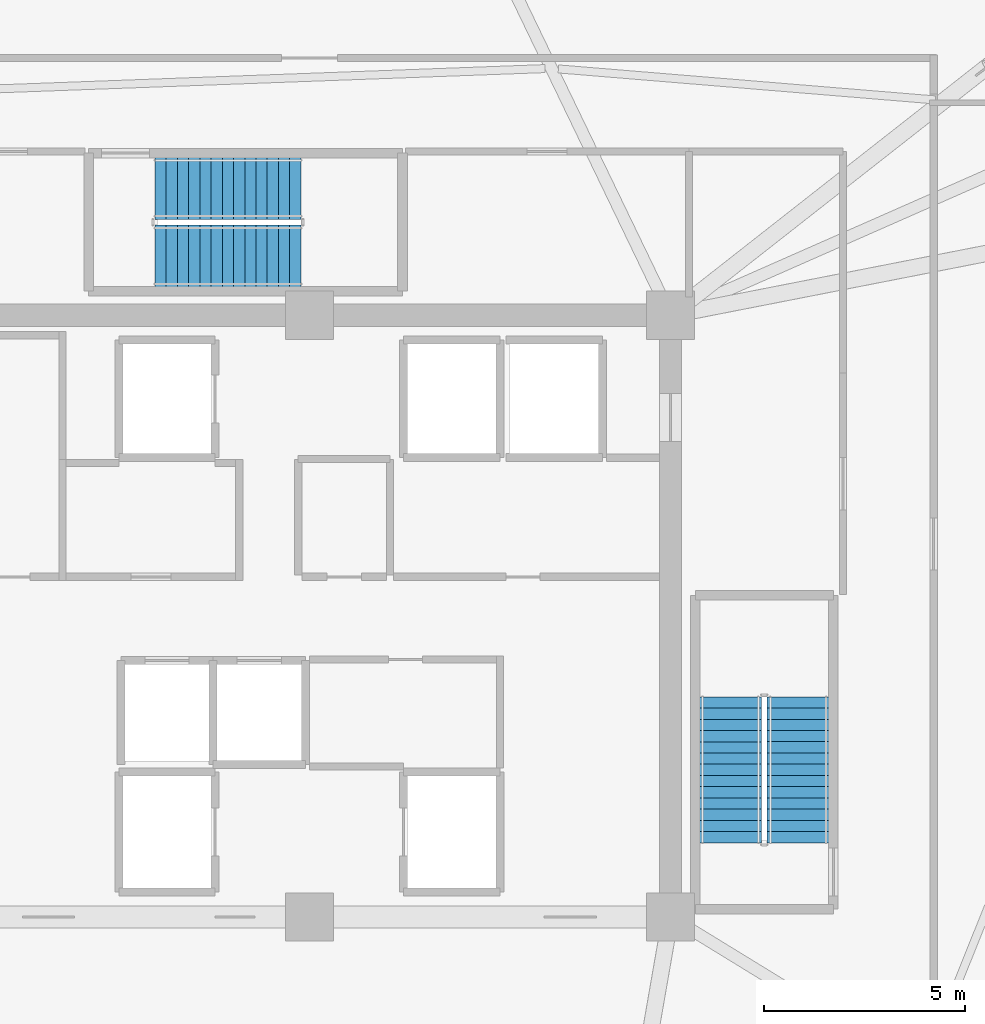
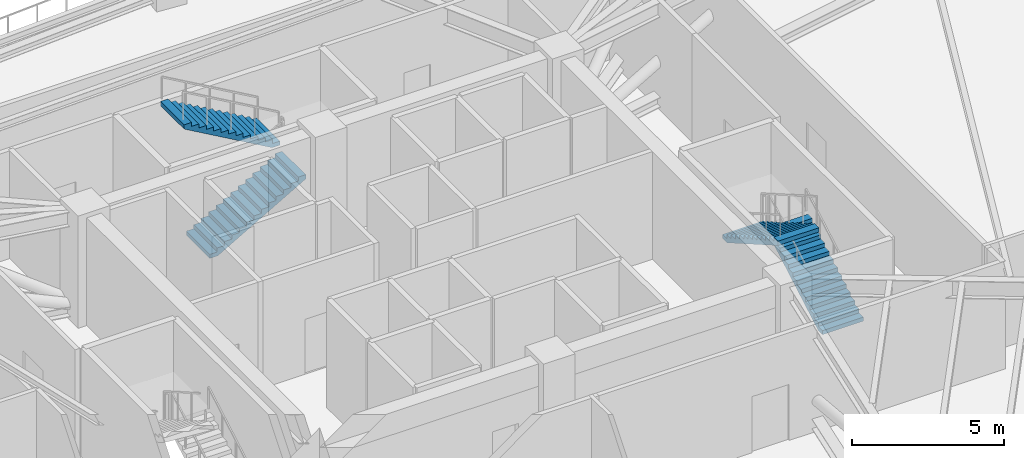
# One storey, part 17 of 22: 4 stair flights, 2 elements without a shape of their own.
"""IFC4 building model written with IfcOpenShell, lengths in metres."""

from ifc_helpers import new_model, si_unit, direction, frame, origin, place, context, subcontext, project, spatial, polyline, outline, extrude, material, type_object, element, aggregate, save


model = new_model("IFC4")

# Units and contexts
model_context = context("Model", 3, precision=1e-05, world=origin(), true_north=direction((0.0, 1.0)))
body_context = subcontext(model_context, "Body", "Model", "MODEL_VIEW")
ifc_project = project(units=[si_unit("LENGTHUNIT", "METRE"), si_unit("AREAUNIT", "SQUARE_METRE"), si_unit("VOLUMEUNIT", "CUBIC_METRE"), si_unit("PLANEANGLEUNIT", "RADIAN"), si_unit("MASSUNIT", "GRAM", prefix="KILO")], contexts=[model_context])

# Site, building, storey
site_placement = place(None, origin())
site = spatial("IfcSite", under=ifc_project, at=site_placement, CompositionType="ELEMENT")
building_placement = place(site_placement, origin())
building = spatial("IfcBuilding", under=site, at=building_placement, Name="Liaohun Quay Tower", CompositionType="ELEMENT")
storey_placement = place(building_placement, frame((0.0, 0.0, 324.0)))
storey = spatial("IfcBuildingStorey", under=building, at=storey_placement, Name="L84", CompositionType="ELEMENT", Elevation=324.0)

# Stair, stair flights
ifc_material = material(Name="Concrete C45", Category="concrete")
stair_type = type_object("IfcStairType", Name="STR-CORE-TALL", PredefinedType="HALF_TURN_STAIR", material=ifc_material)
stair_1_placement = place(storey_placement, origin())
stair_1 = element("IfcStair", 1, at=stair_1_placement, inside=storey, type_object=stair_type, Name="L84 Smokeproof Core Exit Stair ST-2", PredefinedType="HALF_TURN_STAIR")
stair_flight_type = type_object("IfcStairFlightType", Name="FLT-CORE-155", PredefinedType="STRAIGHT", material=ifc_material)
stair_flight_1_placement = place(storey_placement, frame((72.18505859375, 48.35009765625, 0.0), z_axis=(0.0, 0.0, 1.0), x_axis=(0.0, 1.0, 0.0)))
stair_flight_1 = element("IfcStairFlight", 2, at=stair_flight_1_placement, type_object=stair_flight_type, Name="ST-2 flight 1", NumberOfRisers=14, NumberOfTreads=13, PredefinedType="STRAIGHT", RiserHeight=0.160714286, TreadLength=0.28, context=body_context, shape_type="SweptSolid", body=[
    extrude(outline(polyline([(0.0, 0.0), (0.0, 0.16064453125), (0.280029296875, 0.16064453125), (0.280029296875, 0.321533203125), (0.56005859375, 0.321533203125), (0.56005859375, 0.482177734375), (0.840087890625, 0.482177734375), (0.840087890625, 0.642822265625), (1.1201171875, 0.642822265625), (1.1201171875, 0.803466796875), (1.39990234375, 0.803466796875), (1.39990234375, 0.96435546875), (1.679931640625, 0.96435546875), (1.679931640625, 1.125), (1.9599609375, 1.125), (1.9599609375, 1.28564453125), (2.239990234375, 1.28564453125), (2.239990234375, 1.446533203125), (2.52001953125, 1.446533203125), (2.52001953125, 1.607177734375), (2.800048828125, 1.607177734375), (2.800048828125, 1.767822265625), (3.080078125, 1.767822265625), (3.080078125, 1.928466796875), (3.360107421875, 1.928466796875), (3.360107421875, 2.08935546875), (3.639892578125, 2.08935546875), (3.639892578125, 2.25), (3.639892578125, 1.91650390625), (0.301025390625, 0.0), (0.0, 0.0)])), frame((0.0, 0.77490234375, 0.0), z_axis=(0.0, -1.0, 0.0), x_axis=(1.0, 0.0, 0.0)), (0.0, 0.0, 1.0), 1.550048828125),
])
stair_flight_2_placement = place(storey_placement, frame((70.4951171875, 51.989990234375, 2.25), z_axis=(0.0, 0.0, 1.0), x_axis=(0.0, -1.0, 0.0)))
stair_flight_2 = element("IfcStairFlight", 3, at=stair_flight_2_placement, type_object=stair_flight_type, Name="ST-2 flight 2", NumberOfRisers=14, NumberOfTreads=13, PredefinedType="STRAIGHT", RiserHeight=0.160714286, TreadLength=0.28, context=body_context, shape_type="SweptSolid", body=[
    extrude(outline(polyline([(0.0, 0.0), (0.0, 0.16064453125), (0.280029296875, 0.16064453125), (0.280029296875, 0.321533203125), (0.56005859375, 0.321533203125), (0.56005859375, 0.482177734375), (0.840087890625, 0.482177734375), (0.840087890625, 0.642822265625), (1.1201171875, 0.642822265625), (1.1201171875, 0.803466796875), (1.39990234375, 0.803466796875), (1.39990234375, 0.96435546875), (1.679931640625, 0.96435546875), (1.679931640625, 1.125), (1.9599609375, 1.125), (1.9599609375, 1.28564453125), (2.239990234375, 1.28564453125), (2.239990234375, 1.446533203125), (2.52001953125, 1.446533203125), (2.52001953125, 1.607177734375), (2.800048828125, 1.607177734375), (2.800048828125, 1.767822265625), (3.080078125, 1.767822265625), (3.080078125, 1.928466796875), (3.360107421875, 1.928466796875), (3.360107421875, 2.08935546875), (3.639892578125, 2.08935546875), (3.639892578125, 2.25), (3.639892578125, 1.91650390625), (0.301025390625, 0.0), (0.0, 0.0)])), frame((0.0, 0.77490234375, 0.0), z_axis=(0.0, -1.0, 0.0), x_axis=(1.0, 0.0, 0.0)), (0.0, 0.0, 1.0), 1.550048828125),
])
aggregate(stair_1, [stair_flight_1, stair_flight_2])

stair_2_placement = place(storey_placement, origin())
stair_2 = element("IfcStair", 4, at=stair_2_placement, inside=storey, type_object=stair_type, Name="L84 Smokeproof Core Exit Stair ST-3", PredefinedType="HALF_TURN_STAIR")
stair_flight_3_placement = place(storey_placement, frame((56.14990234375, 62.97509765625, 0.0), z_axis=(0.0, 0.0, 1.0), x_axis=(1.0, 0.0, 0.0)))
stair_flight_3 = element("IfcStairFlight", 5, at=stair_flight_3_placement, type_object=stair_flight_type, Name="ST-3 flight 1", NumberOfRisers=14, NumberOfTreads=13, PredefinedType="STRAIGHT", RiserHeight=0.160714286, TreadLength=0.28, context=body_context, shape_type="SweptSolid", body=[
    extrude(outline(polyline([(0.0, 0.0), (0.0, 0.16064453125), (0.280029296875, 0.16064453125), (0.280029296875, 0.321533203125), (0.56005859375, 0.321533203125), (0.56005859375, 0.482177734375), (0.840087890625, 0.482177734375), (0.840087890625, 0.642822265625), (1.1201171875, 0.642822265625), (1.1201171875, 0.803466796875), (1.39990234375, 0.803466796875), (1.39990234375, 0.96435546875), (1.679931640625, 0.96435546875), (1.679931640625, 1.125), (1.9599609375, 1.125), (1.9599609375, 1.28564453125), (2.239990234375, 1.28564453125), (2.239990234375, 1.446533203125), (2.52001953125, 1.446533203125), (2.52001953125, 1.607177734375), (2.800048828125, 1.607177734375), (2.800048828125, 1.767822265625), (3.080078125, 1.767822265625), (3.080078125, 1.928466796875), (3.360107421875, 1.928466796875), (3.360107421875, 2.08935546875), (3.639892578125, 2.08935546875), (3.639892578125, 2.25), (3.639892578125, 1.91650390625), (0.301025390625, 0.0), (0.0, 0.0)])), frame((0.0, 0.77490234375, 0.0), z_axis=(0.0, -1.0, 0.0), x_axis=(1.0, 0.0, 0.0)), (0.0, 0.0, 1.0), 1.550048828125),
])
stair_flight_4_placement = place(storey_placement, frame((59.7900390625, 64.6650390625, 2.25), z_axis=(0.0, 0.0, 1.0), x_axis=(-1.0, 0.0, 0.0)))
stair_flight_4 = element("IfcStairFlight", 6, at=stair_flight_4_placement, type_object=stair_flight_type, Name="ST-3 flight 2", NumberOfRisers=14, NumberOfTreads=13, PredefinedType="STRAIGHT", RiserHeight=0.160714286, TreadLength=0.28, context=body_context, shape_type="SweptSolid", body=[
    extrude(outline(polyline([(0.0, 0.0), (0.0, 0.16064453125), (0.280029296875, 0.16064453125), (0.280029296875, 0.321533203125), (0.56005859375, 0.321533203125), (0.56005859375, 0.482177734375), (0.840087890625, 0.482177734375), (0.840087890625, 0.642822265625), (1.1201171875, 0.642822265625), (1.1201171875, 0.803466796875), (1.39990234375, 0.803466796875), (1.39990234375, 0.96435546875), (1.679931640625, 0.96435546875), (1.679931640625, 1.125), (1.9599609375, 1.125), (1.9599609375, 1.28564453125), (2.239990234375, 1.28564453125), (2.239990234375, 1.446533203125), (2.52001953125, 1.446533203125), (2.52001953125, 1.607177734375), (2.800048828125, 1.607177734375), (2.800048828125, 1.767822265625), (3.080078125, 1.767822265625), (3.080078125, 1.928466796875), (3.360107421875, 1.928466796875), (3.360107421875, 2.08935546875), (3.639892578125, 2.08935546875), (3.639892578125, 2.25), (3.639892578125, 1.91650390625), (0.301025390625, 0.0), (0.0, 0.0)])), frame((0.0, 0.77490234375, 0.0), z_axis=(0.0, -1.0, 0.0), x_axis=(1.0, 0.0, 0.0)), (0.0, 0.0, 1.0), 1.550048828125),
])
aggregate(stair_2, [stair_flight_3, stair_flight_4])

save(model, "model.ifc")
